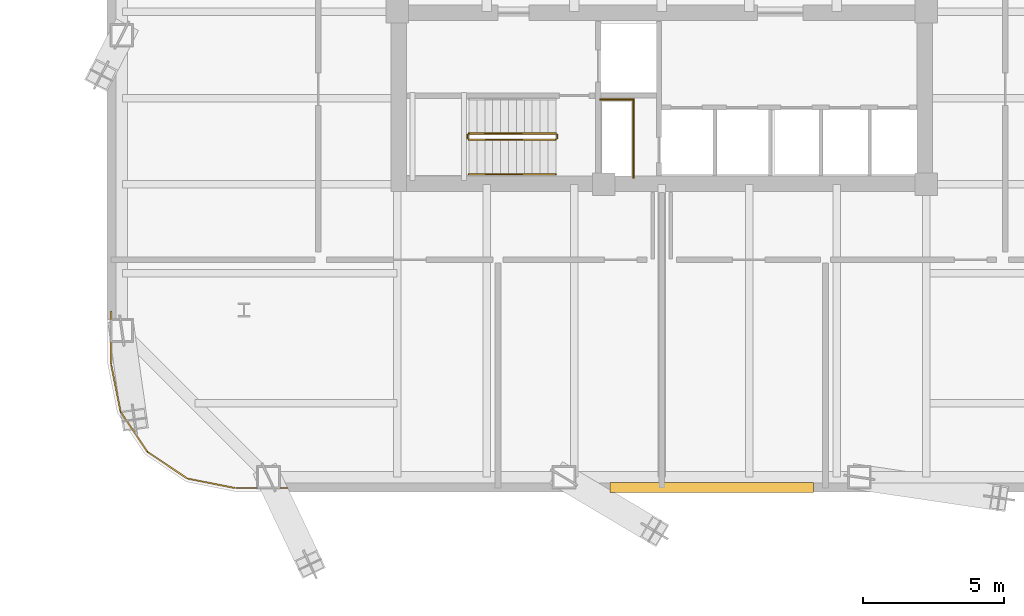
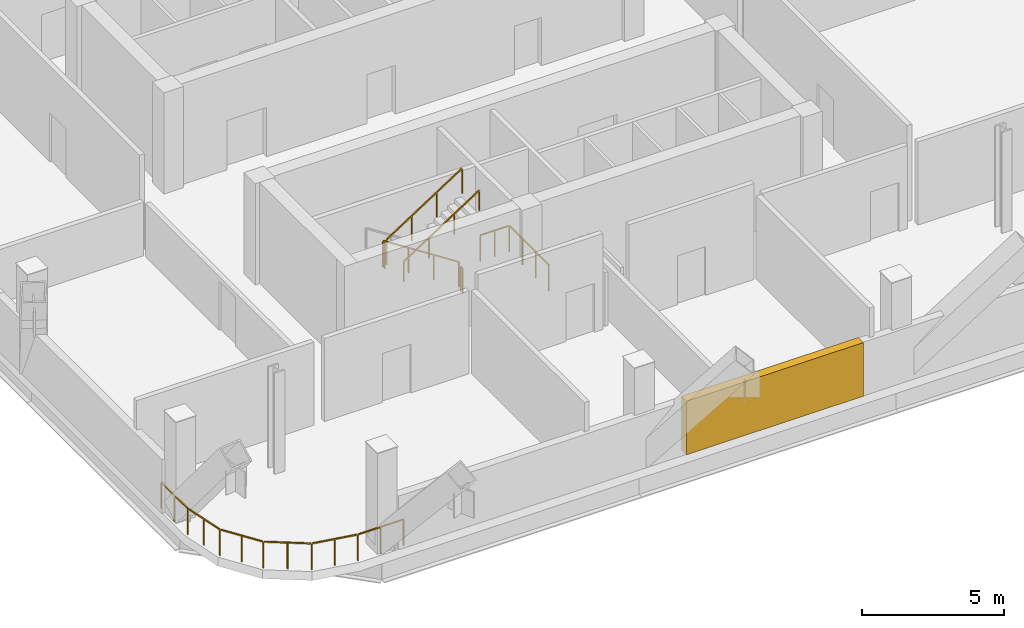
# One storey, part 6 of 8: 7 railings, 1 shading device.
"""IFC4 building model written with IfcOpenShell, lengths in metres."""

import ifcopenshell
import ifcopenshell.guid

model = None  # the IFC model being written
_history = None  # IfcOwnerHistory: only IFC2X3 demands one
_inside = {}  # id of a spatial element -> (the spatial element, [elements in it])
_under = {}  # id of a project, library or spatial element -> (it, [spatial elements below it])
_declared = {}  # id of a project -> (the project, [libraries it declares])
_typed = {}  # id of a type object -> (the type object, [elements of that type])
_made_of = {}  # id of a material, layer set ... -> (it, [elements and type objects made of it])


def new_model(schema):
    """Start an empty IFC model of exactly this schema.

    Asked for "IFC4X3", IfcOpenShell would pick the latest addendum, in which some entities
    have other attributes; the version numbers below select the first issue.
    IFC2X3 requires an IfcOwnerHistory on every rooted entity: one is made here for all.
    """
    global model, _history
    if schema == "IFC4X3":
        model = ifcopenshell.file(schema_version=(4, 3, 0, 0))
    else:
        model = ifcopenshell.file(schema=schema)
    _inside.clear()
    _under.clear()
    _declared.clear()
    _typed.clear()
    _made_of.clear()
    _history = None
    if model.schema == "IFC2X3":
        org = make("IfcOrganization", Name="unknown")
        user = make(
            "IfcPersonAndOrganization",
            ThePerson=make("IfcPerson", FamilyName="unknown"),
            TheOrganization=org,
        )
        app = make(
            "IfcApplication",
            ApplicationDeveloper=org,
            Version="unknown",
            ApplicationFullName="unknown",
            ApplicationIdentifier="unknown",
        )
        _history = make(
            "IfcOwnerHistory",
            OwningUser=user,
            OwningApplication=app,
            ChangeAction="ADDED",
            CreationDate=0,
        )
    return model


def make(cls, **values):
    """One entity of the class cls with the attributes given. An attribute that is None is left unset."""
    return model.create_entity(
        cls, **{name: value for name, value in values.items() if value is not None}
    )


def rooted(cls, **values):
    """An entity with a GlobalId (a new one), such as an element, a storey or a relation."""
    return make(cls, GlobalId=ifcopenshell.guid.new(), OwnerHistory=_history, **values)


def si_unit(unit_type, name, prefix=None):
    """IfcSIUnit, for example si_unit("LENGTHUNIT", "METRE", prefix="MILLI")."""
    return make("IfcSIUnit", UnitType=unit_type, Prefix=prefix, Name=name)


def assignment(units):
    """IfcUnitAssignment: the units of a project."""
    return None if units is None else make("IfcUnitAssignment", Units=units)


def point(xyz):
    """IfcCartesianPoint."""
    return None if xyz is None else make("IfcCartesianPoint", Coordinates=xyz)


def direction(xyz):
    """IfcDirection."""
    return None if xyz is None else make("IfcDirection", DirectionRatios=xyz)


def frame(location, z_axis=None, x_axis=None):
    """IfcAxis2Placement3D, a coordinate frame: its origin and axes. An axis left out is left unset."""
    return make(
        "IfcAxis2Placement3D",
        Location=point(location),
        Axis=direction(z_axis),
        RefDirection=direction(x_axis),
    )


def frame_2d(location, x_axis=None):
    """IfcAxis2Placement2D, a coordinate frame in the plane: its origin and x axis."""
    return make(
        "IfcAxis2Placement2D", Location=point(location), RefDirection=direction(x_axis)
    )


def origin():
    """The frame at (0, 0, 0) with its axes left unset."""
    return frame((0.0, 0.0, 0.0))


def origin_2d():
    """The frame at (0, 0) in the plane with its x axis left unset."""
    return frame_2d((0.0, 0.0))


def place(relative_to, where):
    """IfcLocalPlacement: puts the frame where relative to a parent placement (None: the world)."""
    return make(
        "IfcLocalPlacement", PlacementRelTo=relative_to, RelativePlacement=where
    )


def context(
    kind, dimensions, precision=None, world=None, true_north=None, identifier=None
):
    """IfcGeometricRepresentationContext, for example the 3D "Model" context."""
    return make(
        "IfcGeometricRepresentationContext",
        ContextIdentifier=identifier,
        ContextType=kind,
        CoordinateSpaceDimension=dimensions,
        Precision=precision,
        WorldCoordinateSystem=world,
        TrueNorth=true_north,
    )


def subcontext(parent, identifier, kind, view, scale=None):
    """IfcGeometricRepresentationSubContext, for example "Body" below "Model"."""
    return make(
        "IfcGeometricRepresentationSubContext",
        ContextIdentifier=identifier,
        ContextType=kind,
        ParentContext=parent,
        TargetScale=scale,
        TargetView=view,
    )


def project(units=None, contexts=None):
    """IfcProject with its units and contexts."""
    return rooted(
        "IfcProject",
        Name="project",
        RepresentationContexts=contexts,
        UnitsInContext=assignment(units),
    )


def spatial(cls, under=None, at=None, **own):
    """A site, building, storey or space (cls), placed at a placement, below another one or the project."""
    s = rooted(cls, ObjectPlacement=at, **own)
    if under is not None:
        _under.setdefault(under.id(), (under, []))[1].append(s)
    return s


def profile(cls, at=None, kind="AREA", **sizes):
    """A parametric profile (cls). Its sizes go by their IFC names, for example OverallWidth=200.0."""
    return make(cls, ProfileType=kind, Position=at, **sizes)


def rectangle(**sizes):
    """IfcRectangleProfileDef."""
    return profile("IfcRectangleProfileDef", **sizes)


def extrude(swept, where, along, depth):
    """IfcExtrudedAreaSolid: the profile swept, set in the frame where, extruded along a direction by depth."""
    return make(
        "IfcExtrudedAreaSolid",
        SweptArea=swept,
        Position=where,
        ExtrudedDirection=direction(along),
        Depth=depth,
    )


def shape(context_of_items, identifier, shape_type, items):
    """IfcShapeRepresentation: the items that make up one representation, for example the "Body"."""
    return make(
        "IfcShapeRepresentation",
        ContextOfItems=context_of_items,
        RepresentationIdentifier=identifier,
        RepresentationType=shape_type,
        Items=items,
    )


def material(Name=None, Category=None):
    """IfcMaterial."""
    return make("IfcMaterial", Name=Name, Category=Category)


def made_of(thing, what):
    """Note that an element or type object is made of a material, layer set ...; save() writes the relation."""
    if what is not None:
        _made_of.setdefault(what.id(), (what, []))[1].append(thing)
    return thing


def type_object(cls, material=None, **own):
    """A type object (cls), such as IfcWallType, which elements share."""
    return made_of(rooted(cls, **own), material)


def element(
    cls,
    number,
    at=None,
    inside=None,
    cuts=None,
    type_object=None,
    material=None,
    context=None,
    identifier="Body",
    shape_type=None,
    held_by="IfcProductDefinitionShape",
    body=None,
    shapes=None,
    **own,
):
    """One element of the class cls, such as IfcWall. Its Tag is "e" and its number.

    at: its placement. inside: the storey or other place that contains it. cuts: it is an
    opening in that element (IfcRelVoidsElement). A single representation is given by context,
    identifier, shape_type and body (its items); several are given by shapes. held_by: the class
    of the entity that holds the representations. save() writes the other relations.
    """
    e = rooted(cls, Tag="e%d" % number, ObjectPlacement=at, **own)
    if body is not None:
        shapes = [shape(context, identifier, shape_type, body)]
    if shapes is not None:
        e.Representation = make(held_by, Representations=shapes)
    if inside is not None:
        _inside.setdefault(inside.id(), (inside, []))[1].append(e)
    if cuts is not None:
        rooted(
            "IfcRelVoidsElement", RelatingBuildingElement=cuts, RelatedOpeningElement=e
        )
    if type_object is not None:
        _typed.setdefault(type_object.id(), (type_object, []))[1].append(e)
    return made_of(e, material)


def aggregate(whole, parts):
    """IfcRelAggregates: a whole, such as a stair, and the parts it consists of."""
    return rooted("IfcRelAggregates", RelatingObject=whole, RelatedObjects=parts)


def save(model, path):
    """Write the relations noted so far, then the file.

    IfcRelAggregates (storeys below a building ...), IfcRelContainedInSpatialStructure (elements
    in a storey), IfcRelDefinesByType, IfcRelAssociatesMaterial and IfcRelDeclares: one each for
    every whole, place, type object, material and project.
    """
    for whole, parts in _under.values():
        aggregate(whole, parts)
    for where, things in _inside.values():
        rooted(
            "IfcRelContainedInSpatialStructure",
            RelatedElements=things,
            RelatingStructure=where,
        )
    for kind, things in _typed.values():
        rooted("IfcRelDefinesByType", RelatedObjects=things, RelatingType=kind)
    for what, things in _made_of.values():
        rooted("IfcRelAssociatesMaterial", RelatedObjects=things, RelatingMaterial=what)
    for by, libraries in _declared.values():
        rooted("IfcRelDeclares", RelatingContext=by, RelatedDefinitions=libraries)
    model.write(path)


model = new_model("IFC4")

# Units and contexts
model_context = context("Model", 3, precision=1e-05, world=origin(), true_north=direction((0.0, 1.0)))
body_context = subcontext(model_context, "Body", "Model", "MODEL_VIEW")
ifc_project = project(units=[si_unit("LENGTHUNIT", "METRE"), si_unit("AREAUNIT", "SQUARE_METRE"), si_unit("VOLUMEUNIT", "CUBIC_METRE"), si_unit("PLANEANGLEUNIT", "RADIAN"), si_unit("MASSUNIT", "GRAM", prefix="KILO")], contexts=[model_context])

# Site, building, storey
site_placement = place(None, origin())
site = spatial("IfcSite", under=ifc_project, at=site_placement, CompositionType="ELEMENT")
building_placement = place(site_placement, origin())
building = spatial("IfcBuilding", under=site, at=building_placement, Name="Qhalaya Broadcast Tower", CompositionType="ELEMENT")
storey_placement = place(building_placement, frame((0.0, 0.0, 65.10009765625)))
storey = spatial("IfcBuildingStorey", under=building, at=storey_placement, Name="L18", CompositionType="ELEMENT", Elevation=65.10009765625)

# Shading device
ifc_material_1 = material(Name="Fired Architectural Terracotta", Category="masonry")
shading_device_type = type_object("IfcShadingDeviceType", Name="Plant & Turbine-Slot Acoustic Louvre Screen LVS-01", PredefinedType="USERDEFINED", material=ifc_material_1)
shading_device_placement = place(storey_placement, frame((1.77001953125, -19.489990234375, -0.000244140625), z_axis=(0.0, 0.0, 1.0), x_axis=(-1.0, 0.0, 0.0)))
element("IfcShadingDevice", 1, at=shading_device_placement, inside=storey, type_object=shading_device_type, Name="L18 Plant Acoustic Louvre Screen S", ObjectType="LOUVRE", PredefinedType="USERDEFINED", context=body_context, shape_type="SweptSolid", body=[
    extrude(rectangle(XDim=7.199951171875, YDim=0.360107421875, at=origin_2d()), origin(), (0.0, 0.0, 1.0), 2.31005859375),
])

# Railings
ifc_material_2 = material(Name="Powder-Coated Galvanised Steel", Category="steel")
railing_type_1 = type_object("IfcRailingType", Name="Stair Wall Handrail 900", PredefinedType="HANDRAIL", material=ifc_material_2)
railing_1_placement = place(storey_placement, frame((-6.830078125, -8.389892578125, 2.356201171875)))
element("IfcRailing", 2, at=railing_1_placement, inside=storey, type_object=railing_type_1, Name="L18 ST-2 Stair Handrail 2", PredefinedType="HANDRAIL", context=body_context, shape_type="SweptSolid", body=[
    extrude(rectangle(XDim=0.048095703125, YDim=0.048095703125, at=origin_2d()), frame((0.0, 0.0, 0.8759765625), z_axis=(0.839488025565, 0.0, 0.543378187759), x_axis=(0.0, 1.0, 0.0)), (0.0, 0.0, 1.0), 3.6689453125),
    extrude(rectangle(XDim=0.0419921875, YDim=0.0419921875, at=origin_2d()), origin(), (0.0, 0.0, 1.0), 0.849853515625),
    extrude(rectangle(XDim=0.0419921875, YDim=0.0419921875, at=origin_2d()), frame((1.026611328125, 0.0, 0.66455078125)), (0.0, 0.0, 1.0), 0.849853515625),
    extrude(rectangle(XDim=0.0419921875, YDim=0.0419921875, at=origin_2d()), frame((2.053466796875, 0.0, 1.3291015625)), (0.0, 0.0, 1.0), 0.849853515625),
    extrude(rectangle(XDim=0.0419921875, YDim=0.0419921875, at=origin_2d()), frame((3.080078125, 0.0, 1.99365234375)), (0.0, 0.0, 1.0), 0.849853515625),
])
railing_type_2 = type_object("IfcRailingType", Name="Stair Well & Landing Guardrail 1100", PredefinedType="GUARDRAIL", material=ifc_material_2)
railing_2_placement = place(storey_placement, frame((-1.0, -8.52001953125, 0.0)))
element("IfcRailing", 3, at=railing_2_placement, inside=storey, type_object=railing_type_2, Name="L18 Service Riser Opening Safety Guard SRSR", PredefinedType="GUARDRAIL", context=body_context, shape_type="SweptSolid", body=[
    extrude(rectangle(XDim=0.048095703125, YDim=0.048095703125, at=origin_2d()), frame((0.0, 0.0, 1.1259765625), z_axis=(0.0, 1.0, 0.0), x_axis=(-1.0, 0.0, 0.0)), (0.0, 0.0, 1.0), 2.751220703125),
    extrude(rectangle(XDim=0.048095703125, YDim=0.048095703125, at=origin_2d()), frame((-0.02880859375, 2.780029296875, 1.1259765625), z_axis=(-1.0, 0.0, 0.0), x_axis=(0.0, -1.0, 0.0)), (0.0, 0.0, 1.0), 1.151123046875),
    extrude(rectangle(XDim=0.0419921875, YDim=0.0419921875, at=origin_2d()), origin(), (0.0, 0.0, 1.0), 1.099853515625),
    extrude(rectangle(XDim=0.0419921875, YDim=0.0419921875, at=origin_2d()), frame((0.0, 0.9267578125, 0.0)), (0.0, 0.0, 1.0), 1.099853515625),
    extrude(rectangle(XDim=0.0419921875, YDim=0.0419921875, at=origin_2d()), frame((0.0, 1.853271484375, 0.0)), (0.0, 0.0, 1.0), 1.099853515625),
    extrude(rectangle(XDim=0.0419921875, YDim=0.0419921875, at=origin_2d()), frame((0.0, 2.780029296875, 0.0)), (0.0, 0.0, 1.0), 1.099853515625),
    extrude(rectangle(XDim=0.0419921875, YDim=0.0419921875, at=origin_2d()), frame((-0.58984375, 2.780029296875, 0.0)), (0.0, 0.0, 1.0), 1.099853515625),
    extrude(rectangle(XDim=0.0419921875, YDim=0.0419921875, at=origin_2d()), frame((-1.179931640625, 2.780029296875, 0.0)), (0.0, 0.0, 1.0), 1.099853515625),
])
railing_3_placement = place(storey_placement, frame((-3.75, -6.949951171875, 0.18115234375)))
element("IfcRailing", 4, at=railing_3_placement, inside=storey, type_object=railing_type_2, Name="L18 ST-2 Stair Guard 1", PredefinedType="GUARDRAIL", context=body_context, shape_type="SweptSolid", body=[
    extrude(rectangle(XDim=0.048095703125, YDim=0.048095703125, at=origin_2d()), frame((0.0, 0.0, 1.076171875), z_axis=(-0.839488025565, 0.0, 0.543378187759), x_axis=(0.0, -1.0, 0.0)), (0.0, 0.0, 1.0), 3.6689453125),
    extrude(rectangle(XDim=0.0419921875, YDim=0.0419921875, at=origin_2d()), origin(), (0.0, 0.0, 1.0), 1.050048828125),
    extrude(rectangle(XDim=0.0419921875, YDim=0.0419921875, at=origin_2d()), frame((-1.026611328125, 0.0, 0.66455078125)), (0.0, 0.0, 1.0), 1.050048828125),
    extrude(rectangle(XDim=0.0419921875, YDim=0.0419921875, at=origin_2d()), frame((-2.053466796875, 0.0, 1.3291015625)), (0.0, 0.0, 1.0), 1.050048828125),
    extrude(rectangle(XDim=0.0419921875, YDim=0.0419921875, at=origin_2d()), frame((-3.080078125, 0.0, 1.99365234375)), (0.0, 0.0, 1.0), 1.050048828125),
])
railing_4_placement = place(storey_placement, frame((-6.8798828125, -7.0, 2.1748046875)))
element("IfcRailing", 5, at=railing_4_placement, inside=storey, type_object=railing_type_2, Name="L18 ST-2 Stair Guard 2", PredefinedType="GUARDRAIL", context=body_context, shape_type="SweptSolid", body=[
    extrude(rectangle(XDim=0.048095703125, YDim=0.048095703125, at=origin_2d()), frame((0.0, 0.0, 1.076171875), z_axis=(0.0, -1.0, 0.0), x_axis=(1.0, 0.0, 0.0)), (0.0, 0.0, 1.0), 0.1201171875),
    extrude(rectangle(XDim=0.0419921875, YDim=0.0419921875, at=origin_2d()), origin(), (0.0, 0.0, 1.0), 1.050048828125),
    extrude(rectangle(XDim=0.0419921875, YDim=0.0419921875, at=origin_2d()), frame((0.0, -0.1201171875, 0.0)), (0.0, 0.0, 1.0), 1.050048828125),
])
railing_5_placement = place(storey_placement, frame((-6.830078125, -7.169921875, 2.356201171875)))
element("IfcRailing", 6, at=railing_5_placement, inside=storey, type_object=railing_type_2, Name="L18 ST-2 Stair Guard 3", PredefinedType="GUARDRAIL", context=body_context, shape_type="SweptSolid", body=[
    extrude(rectangle(XDim=0.048095703125, YDim=0.048095703125, at=origin_2d()), frame((0.0, 0.0, 1.076171875), z_axis=(0.839488025565, 0.0, 0.543378187759), x_axis=(0.0, 1.0, 0.0)), (0.0, 0.0, 1.0), 3.6689453125),
    extrude(rectangle(XDim=0.0419921875, YDim=0.0419921875, at=origin_2d()), origin(), (0.0, 0.0, 1.0), 1.050048828125),
    extrude(rectangle(XDim=0.0419921875, YDim=0.0419921875, at=origin_2d()), frame((1.026611328125, 0.0, 0.66455078125)), (0.0, 0.0, 1.0), 1.050048828125),
    extrude(rectangle(XDim=0.0419921875, YDim=0.0419921875, at=origin_2d()), frame((2.053466796875, 0.0, 1.3291015625)), (0.0, 0.0, 1.0), 1.050048828125),
    extrude(rectangle(XDim=0.0419921875, YDim=0.0419921875, at=origin_2d()), frame((3.080078125, 0.0, 1.99365234375)), (0.0, 0.0, 1.0), 1.050048828125),
])
railing_6_placement = place(storey_placement, frame((-3.699951171875, -7.0, 0.0)))
element("IfcRailing", 7, at=railing_6_placement, inside=storey, type_object=railing_type_2, Name="L18 ST-2 Stair Guard 4", PredefinedType="GUARDRAIL", context=body_context, shape_type="SweptSolid", body=[
    extrude(rectangle(XDim=0.048095703125, YDim=0.048095703125, at=origin_2d()), frame((0.0, 0.0, 1.076171875), z_axis=(0.0, -1.0, 0.0), x_axis=(1.0, 0.0, 0.0)), (0.0, 0.0, 1.0), 0.1201171875),
    extrude(rectangle(XDim=0.0419921875, YDim=0.0419921875, at=origin_2d()), origin(), (0.0, 0.0, 1.0), 1.050048828125),
    extrude(rectangle(XDim=0.0419921875, YDim=0.0419921875, at=origin_2d()), frame((0.0, -0.1201171875, 0.0)), (0.0, 0.0, 1.0), 1.050048828125),
])
railing_type_3 = type_object("IfcRailingType", Name="Terrace, Sky-Pool & Lookout Glass Balustrade 1150", PredefinedType="BALUSTRADE", material=ifc_material_2)
railing_7_placement = place(storey_placement, frame((-13.261962890625, -19.510009765625, 0.0)))
element("IfcRailing", 8, at=railing_7_placement, inside=storey, type_object=railing_type_3, Name="L18 Rounded Corner Perimeter Guard 02", PredefinedType="BALUSTRADE", context=body_context, shape_type="SweptSolid", body=[
    extrude(rectangle(XDim=0.048095703125, YDim=0.048095703125, at=origin_2d()), frame((0.0, 0.0, 1.1259765625), z_axis=(-1.0, 0.0, 0.0), x_axis=(0.0, -1.0, 0.0)), (0.0, 0.0, 1.0), 1.827392578125),
    extrude(rectangle(XDim=0.048095703125, YDim=0.048095703125, at=origin_2d()), frame((-1.884521484375, 0.005615234375, 1.1259765625), z_axis=(-0.980803832953, 0.194997028864, 0.0), x_axis=(-0.194997028864, -0.980803832953, 0.0)), (0.0, 0.0, 1.0), 1.66259765625),
    extrude(rectangle(XDim=0.048095703125, YDim=0.048095703125, at=origin_2d()), frame((-3.5673828125, 0.3515625, 1.1259765625), z_axis=(-0.831456085426, 0.555590476887, 0.0), x_axis=(-0.555590476887, -0.831456085426, 0.0)), (0.0, 0.0, 1.0), 1.650390625),
    extrude(rectangle(XDim=0.048095703125, YDim=0.048095703125, at=origin_2d()), frame((-4.979736328125, 1.308349609375, 1.1259765625), z_axis=(-0.555590476887, 0.831456085426, 0.0), x_axis=(-0.831456085426, -0.555590476887, 0.0)), (0.0, 0.0, 1.0), 1.650390625),
    extrude(rectangle(XDim=0.048095703125, YDim=0.048095703125, at=origin_2d()), frame((-5.918212890625, 2.73291015625, 1.1259765625), z_axis=(-0.194997028864, 0.980803832953, 0.0), x_axis=(-0.980803832953, -0.194997028864, 0.0)), (0.0, 0.0, 1.0), 1.66259765625),
    extrude(rectangle(XDim=0.048095703125, YDim=0.048095703125, at=origin_2d()), frame((-6.248046875, 4.420654296875, 1.1259765625), z_axis=(0.0, 1.0, 0.0), x_axis=(-1.0, 0.0, 0.0)), (0.0, 0.0, 1.0), 1.827392578125),
    extrude(rectangle(XDim=0.0419921875, YDim=0.0419921875, at=origin_2d()), origin(), (0.0, 0.0, 1.0), 1.099853515625),
    extrude(rectangle(XDim=0.0419921875, YDim=0.0419921875, at=origin_2d()), frame((-0.92822265625, 0.0, 0.0)), (0.0, 0.0, 1.0), 1.099853515625),
    extrude(rectangle(XDim=0.0419921875, YDim=0.0419921875, at=origin_2d()), frame((-1.856201171875, 0.0, 0.0)), (0.0, 0.0, 1.0), 1.099853515625),
    extrude(rectangle(XDim=0.0419921875, YDim=0.0419921875, at=origin_2d()), frame((-2.69970703125, 0.167724609375, 0.0)), (0.0, 0.0, 1.0), 1.099853515625),
    extrude(rectangle(XDim=0.0419921875, YDim=0.0419921875, at=origin_2d()), frame((-3.54345703125, 0.33544921875, 0.0)), (0.0, 0.0, 1.0), 1.099853515625),
    extrude(rectangle(XDim=0.0419921875, YDim=0.0419921875, at=origin_2d()), frame((-4.25341796875, 0.81005859375, 0.0)), (0.0, 0.0, 1.0), 1.099853515625),
    extrude(rectangle(XDim=0.0419921875, YDim=0.0419921875, at=origin_2d()), frame((-4.963623046875, 1.284423828125, 0.0)), (0.0, 0.0, 1.0), 1.099853515625),
    extrude(rectangle(XDim=0.0419921875, YDim=0.0419921875, at=origin_2d()), frame((-5.43798828125, 1.99462890625, 0.0)), (0.0, 0.0, 1.0), 1.099853515625),
    extrude(rectangle(XDim=0.0419921875, YDim=0.0419921875, at=origin_2d()), frame((-5.91259765625, 2.70458984375, 0.0)), (0.0, 0.0, 1.0), 1.099853515625),
    extrude(rectangle(XDim=0.0419921875, YDim=0.0419921875, at=origin_2d()), frame((-6.080322265625, 3.54833984375, 0.0)), (0.0, 0.0, 1.0), 1.099853515625),
    extrude(rectangle(XDim=0.0419921875, YDim=0.0419921875, at=origin_2d()), frame((-6.248046875, 4.391845703125, 0.0)), (0.0, 0.0, 1.0), 1.099853515625),
    extrude(rectangle(XDim=0.0419921875, YDim=0.0419921875, at=origin_2d()), frame((-6.248046875, 5.31982421875, 0.0)), (0.0, 0.0, 1.0), 1.099853515625),
    extrude(rectangle(XDim=0.0419921875, YDim=0.0419921875, at=origin_2d()), frame((-6.248046875, 6.248046875, 0.0)), (0.0, 0.0, 1.0), 1.099853515625),
])

save(model, "model.ifc")
